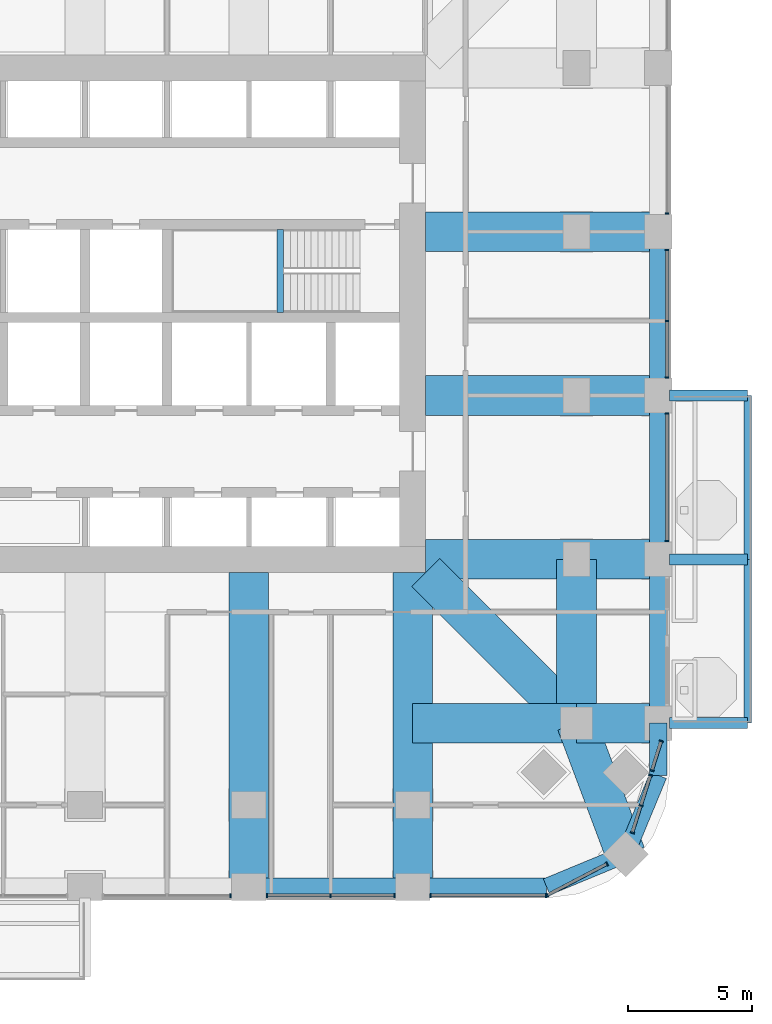
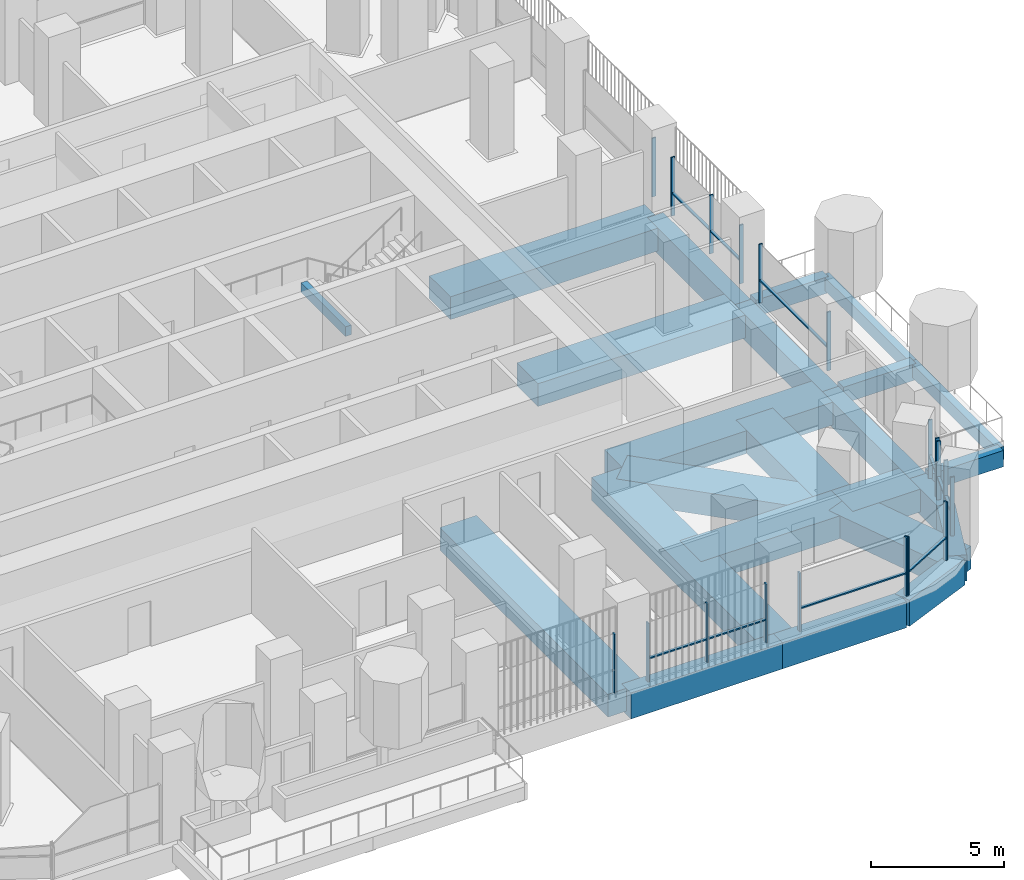
# One storey, part 5 of 21: 29 members, 24 beams, 9 elements without a shape of their own.
"""IFC4 building model written with IfcOpenShell, lengths in metres."""

from ifc_helpers import new_model, si_unit, direction, frame, origin, origin_2d, place, context, subcontext, project, spatial, rectangle, extrude, material, material_profile, profile_set, type_object, element, aggregate, save


model = new_model("IFC4")

# Units and contexts
model_context = context("Model", 3, precision=1e-05, world=origin(), true_north=direction((0.0, 1.0)))
body_context = subcontext(model_context, "Body", "Model", "MODEL_VIEW")
ifc_project = project(units=[si_unit("LENGTHUNIT", "METRE"), si_unit("AREAUNIT", "SQUARE_METRE"), si_unit("VOLUMEUNIT", "CUBIC_METRE"), si_unit("PLANEANGLEUNIT", "RADIAN"), si_unit("MASSUNIT", "GRAM", prefix="KILO")], contexts=[model_context])

# Site, building, storey
site_placement = place(None, origin())
site = spatial("IfcSite", under=ifc_project, at=site_placement, CompositionType="ELEMENT")
building_placement = place(site_placement, origin())
building = spatial("IfcBuilding", under=site, at=building_placement, Name="Cobogo Forest Laboratory Tower", CompositionType="ELEMENT")
storey_placement = place(building_placement, frame((0.0, 0.0, 132.60009765625)))
storey = spatial("IfcBuildingStorey", under=building, at=storey_placement, Name="L30", CompositionType="ELEMENT", Elevation=132.60009765625)

# Beams
ifc_material_1 = material(Name="Concrete HA-40 (C40/50)", Category="concrete")
ifc_material_profile_1 = material_profile(ifc_material_1, rectangle(XDim=0.449951171875, YDim=0.75, at=origin_2d()), Name="RC 450x750")
ifc_profile_set_1 = profile_set([ifc_material_profile_1], Name="Concrete HA-40 (C40/50)")
beam_type_1 = type_object("IfcBeamType", Name="Balcony cantilever beam 450x750", PredefinedType="BEAM", material=ifc_profile_set_1)
for number, where, z_axis, x_axis, name in (
    (1, (49.949951171875, 6.60009765625, -0.625), (1.0, 0.0, 0.0), (0.0, 1.0, 0.0), "CB1 BAL-E1-C1 L30"),
    (2, (49.949951171875, 13.199951171875, -0.625), (1.0, 0.0, 0.0), (0.0, 1.0, 0.0), "CB1 BAL-E1-C2 L30"),
    (3, (49.949951171875, 19.800048828125, -0.625), (1.0, 0.0, 0.0), (0.0, 1.0, 0.0), "CB1 BAL-E1-C3 L30"),
):
    element("IfcBeam", number, at=place(storey_placement, frame(where, z_axis=z_axis, x_axis=x_axis)), inside=storey, type_object=beam_type_1, Name=name, PredefinedType="BEAM", context=body_context, shape_type="SweptSolid", body=[
        extrude(rectangle(XDim=0.449951171875, YDim=0.75, at=origin_2d()), origin(), (0.0, 0.0, 1.0), 3.150146484375),
    ])
ifc_material_profile_2 = material_profile(ifc_material_1, rectangle(XDim=0.300048828125, YDim=0.60009765625, at=origin_2d()), Name="RC 300x600")
ifc_profile_set_2 = profile_set([ifc_material_profile_2], Name="Concrete HA-40 (C40/50)")
beam_type_2 = type_object("IfcBeamType", Name="Balcony edge beam 300x600", PredefinedType="BEAM", material=ifc_profile_set_2)
beam_1_placement = place(storey_placement, frame((53.10009765625, 6.60009765625, -0.550048828125), z_axis=(0.0, 1.0, 0.0), x_axis=(-1.0, 0.0, 0.0)))
element("IfcBeam", 4, at=beam_1_placement, inside=storey, type_object=beam_type_2, Name="BB1 BAL-E1-T1 L30", PredefinedType="BEAM", context=body_context, shape_type="SweptSolid", body=[
    extrude(rectangle(XDim=0.300048828125, YDim=0.60009765625, at=origin_2d()), origin(), (0.0, 0.0, 1.0), 6.599853515625),
])
beam_2_placement = place(storey_placement, frame((53.10009765625, 13.199951171875, -0.550048828125), z_axis=(0.0, 1.0, 0.0), x_axis=(-1.0, 0.0, 0.0)))
element("IfcBeam", 5, at=beam_2_placement, inside=storey, type_object=beam_type_2, Name="BB1 BAL-E1-T2 L30", PredefinedType="BEAM", context=body_context, shape_type="SweptSolid", body=[
    extrude(rectangle(XDim=0.300048828125, YDim=0.60009765625, at=origin_2d()), origin(), (0.0, 0.0, 1.0), 6.60009765625),
])
ifc_material_profile_3 = material_profile(ifc_material_1, rectangle(XDim=0.25, YDim=0.449951171875, at=origin_2d()), Name="RC 250x450")
ifc_profile_set_3 = profile_set([ifc_material_profile_3], Name="Concrete HA-40 (C40/50)")
beam_type_3 = type_object("IfcBeamType", Name="LB1 landing beam 250x450", PredefinedType="BEAM", material=ifc_profile_set_3)
beam_3_placement = place(storey_placement, frame((34.27001953125, 23.14990234375, 1.6748046875), z_axis=(0.0, 1.0, 0.0), x_axis=(-1.0, 0.0, 0.0)))
element("IfcBeam", 6, at=beam_3_placement, inside=storey, type_object=beam_type_3, Name="Landing beam ST2 L30", PredefinedType="BEAM", context=body_context, shape_type="SweptSolid", body=[
    extrude(rectangle(XDim=0.25, YDim=0.449951171875, at=origin_2d()), origin(), (0.0, 0.0, 1.0), 3.35009765625),
])
ifc_material_2 = material(Name="Concrete HA-50 (C50/60)", Category="concrete")
ifc_material_profile_4 = material_profile(ifc_material_2, rectangle(XDim=1.60009765625, YDim=1.050048828125, at=origin_2d()), Name="RC 1600x1050")
ifc_profile_set_4 = profile_set([ifc_material_profile_4], Name="Concrete HA-50 (C50/60)")
beam_type_4 = type_object("IfcBeamType", Name="Laboratory floor wide beam 1600x1050", PredefinedType="BEAM", material=ifc_profile_set_4)
for number, where, z_axis, x_axis, name in (
    (7, (33.0, 12.675048828125, -0.8251953125), (0.0, -1.0, 0.0), (1.0, 0.0, 0.0), "RB8 R-6-S L30"),
    (8, (39.60009765625, 12.675048828125, -0.8251953125), (0.0, -1.0, 0.0), (1.0, 0.0, 0.0), "RB8 R-7-S L30"),
):
    element("IfcBeam", number, at=place(storey_placement, frame(where, z_axis=z_axis, x_axis=x_axis)), inside=storey, type_object=beam_type_4, Name=name, PredefinedType="BEAM", context=body_context, shape_type="SweptSolid", body=[
        extrude(rectangle(XDim=1.60009765625, YDim=1.050048828125, at=origin_2d()), origin(), (0.0, 0.0, 1.0), 12.675048828125),
    ])
for number, where, z_axis, x_axis, name in (
    (9, (40.125, 13.199951171875, -0.8251953125), (1.0, 0.0, 0.0), (0.0, 1.0, 0.0), "RB8 R-C-E L30"),
    (10, (40.125, 19.800048828125, -0.8251953125), (1.0, 0.0, 0.0), (0.0, 1.0, 0.0), "RB8 R-D-E L30"),
    (11, (40.125, 26.39990234375, -0.8251953125), (1.0, 0.0, 0.0), (0.0, 1.0, 0.0), "RB8 R-E-E L30"),
):
    element("IfcBeam", number, at=place(storey_placement, frame(where, z_axis=z_axis, x_axis=x_axis)), inside=storey, type_object=beam_type_4, Name=name, PredefinedType="BEAM", context=body_context, shape_type="SweptSolid", body=[
        extrude(rectangle(XDim=1.60009765625, YDim=1.050048828125, at=origin_2d()), origin(), (0.0, 0.0, 1.0), 9.375),
    ])
beam_4_placement = place(storey_placement, frame((46.199951171875, 6.60009765625, -0.8251953125), z_axis=(0.0, 1.0, 0.0), x_axis=(-1.0, 0.0, 0.0)))
element("IfcBeam", 12, at=beam_4_placement, inside=storey, type_object=beam_type_4, Name="RB8 G-SE-XC L30", PredefinedType="BEAM", context=body_context, shape_type="SweptSolid", body=[
    extrude(rectangle(XDim=1.60009765625, YDim=1.050048828125, at=origin_2d()), origin(), (0.0, 0.0, 1.0), 6.599853515625),
])
beam_5_placement = place(storey_placement, frame((49.5, 6.60009765625, -0.8251953125), z_axis=(-1.0, 0.0, 0.0), x_axis=(0.0, -1.0, 0.0)))
element("IfcBeam", 13, at=beam_5_placement, inside=storey, type_object=beam_type_4, Name="RB8 G-SE-YF L30", PredefinedType="BEAM", context=body_context, shape_type="SweptSolid", body=[
    extrude(rectangle(XDim=1.60009765625, YDim=1.050048828125, at=origin_2d()), origin(), (0.0, 0.0, 1.0), 3.300048828125),
])
beam_6_placement = place(storey_placement, frame((46.199951171875, 6.60009765625, -0.8251953125), z_axis=(-1.0, 0.0, 0.0), x_axis=(0.0, -1.0, 0.0)))
element("IfcBeam", 14, at=beam_6_placement, inside=storey, type_object=beam_type_4, Name="RB8 G-SE-YC L30", PredefinedType="BEAM", context=body_context, shape_type="SweptSolid", body=[
    extrude(rectangle(XDim=1.60009765625, YDim=1.050048828125, at=origin_2d()), origin(), (0.0, 0.0, 1.0), 6.599853515625),
])
beam_7_placement = place(storey_placement, frame((48.181884765625, 1.318115234375, -0.8251953125), z_axis=(-0.351308391925, 0.936259800356, 0.0), x_axis=(-0.936259800356, -0.351308391925, 0.0)))
element("IfcBeam", 15, at=beam_7_placement, inside=storey, type_object=beam_type_4, Name="RB8 G-SE-D1 L30", PredefinedType="BEAM", context=body_context, shape_type="SweptSolid", body=[
    extrude(rectangle(XDim=1.60009765625, YDim=1.050048828125, at=origin_2d()), origin(), (0.0, 0.0, 1.0), 5.6416015625),
])
beam_8_placement = place(storey_placement, frame((46.199951171875, 6.60009765625, -0.8251953125), z_axis=(-0.707106781187, 0.707106781187, 0.0), x_axis=(-0.707106781187, -0.707106781187, 0.0)))
element("IfcBeam", 16, at=beam_8_placement, inside=storey, type_object=beam_type_4, Name="RB8 G-SE-D2 L30", PredefinedType="BEAM", context=body_context, shape_type="SweptSolid", body=[
    extrude(rectangle(XDim=1.60009765625, YDim=1.050048828125, at=origin_2d()), origin(), (0.0, 0.0, 1.0), 8.59130859375),
])

# Curtain wall, member
ifc_material_3 = material(Name="Aluminium curtain wall", Category="aluminium")
curtain_wall_type = type_object("IfcCurtainWallType", Name="CW-1 unitised curtain wall, clear glazing, laboratory floors zones A and B", PredefinedType="USERDEFINED", material=ifc_material_3)
curtain_wall_1_placement = place(storey_placement, origin())
curtain_wall_1 = element("IfcCurtainWall", 17, at=curtain_wall_1_placement, inside=storey, type_object=curtain_wall_type, Name="Curtain wall 04 L30", ObjectType="UNITISED CURTAIN WALL", PredefinedType="USERDEFINED")
ifc_material_4 = material(Name="Aluminium mullion", Category="aluminium")
ifc_material_profile_5 = material_profile(ifc_material_4, rectangle(XDim=0.06005859375, YDim=0.159912109375, at=origin_2d()), Name="AL 60x160")
ifc_profile_set_5 = profile_set([ifc_material_profile_5], Name="Aluminium mullion")
member_type_1 = type_object("IfcMemberType", Name="MU-1 aluminium mullion 60x160", PredefinedType="MULLION", material=ifc_profile_set_5)
member_1_placement = place(storey_placement, frame((32.27001953125, -0.35009765625, 0.0), z_axis=(0.0, 0.0, 1.0), x_axis=(1.0, 0.0, 0.0)))
member_1 = element("IfcMember", 18, at=member_1_placement, type_object=member_type_1, Name="CW-1 mullion 3", PredefinedType="MULLION", context=body_context, shape_type="SweptSolid", body=[
    extrude(rectangle(XDim=0.06005859375, YDim=0.159912109375, at=origin_2d()), origin(), (0.0, 0.0, 1.0), 2.699951171875),
])
aggregate(curtain_wall_1, [member_1])

# Curtain wall, members
curtain_wall_2_placement = place(storey_placement, origin())
curtain_wall_2 = element("IfcCurtainWall", 19, at=curtain_wall_2_placement, inside=storey, type_object=curtain_wall_type, Name="Curtain wall 05 L30", ObjectType="UNITISED CURTAIN WALL", PredefinedType="USERDEFINED")
member_2_placement = place(storey_placement, frame((33.72998046875, -0.35009765625, 0.0), z_axis=(0.0, 0.0, 1.0), x_axis=(1.0, 0.0, 0.0)))
member_2 = element("IfcMember", 20, at=member_2_placement, type_object=member_type_1, Name="CW-1 mullion 1", PredefinedType="MULLION", context=body_context, shape_type="SweptSolid", body=[
    extrude(rectangle(XDim=0.06005859375, YDim=0.159912109375, at=origin_2d()), origin(), (0.0, 0.0, 1.0), 2.699951171875),
])
member_3_placement = place(storey_placement, frame((36.300048828125, -0.35009765625, 0.0), z_axis=(0.0, 0.0, 1.0), x_axis=(1.0, 0.0, 0.0)))
member_3 = element("IfcMember", 21, at=member_3_placement, type_object=member_type_1, Name="CW-1 mullion 2", PredefinedType="MULLION", context=body_context, shape_type="SweptSolid", body=[
    extrude(rectangle(XDim=0.06005859375, YDim=0.159912109375, at=origin_2d()), origin(), (0.0, 0.0, 1.0), 2.699951171875),
])
member_4_placement = place(storey_placement, frame((38.8701171875, -0.35009765625, 0.0), z_axis=(0.0, 0.0, 1.0), x_axis=(1.0, 0.0, 0.0)))
member_4 = element("IfcMember", 22, at=member_4_placement, type_object=member_type_1, Name="CW-1 mullion 3", PredefinedType="MULLION", context=body_context, shape_type="SweptSolid", body=[
    extrude(rectangle(XDim=0.06005859375, YDim=0.159912109375, at=origin_2d()), origin(), (0.0, 0.0, 1.0), 2.699951171875),
])

curtain_wall_3_placement = place(storey_placement, origin())
curtain_wall_3 = element("IfcCurtainWall", 23, at=curtain_wall_3_placement, inside=storey, type_object=curtain_wall_type, Name="Curtain wall 06 L30", ObjectType="UNITISED CURTAIN WALL", PredefinedType="USERDEFINED")
member_5_placement = place(storey_placement, frame((40.330078125, -0.35009765625, 0.0), z_axis=(0.0, 0.0, 1.0), x_axis=(1.0, 0.0, 0.0)))
member_5 = element("IfcMember", 24, at=member_5_placement, type_object=member_type_1, Name="CW-1 mullion 1", PredefinedType="MULLION", context=body_context, shape_type="SweptSolid", body=[
    extrude(rectangle(XDim=0.06005859375, YDim=0.159912109375, at=origin_2d()), origin(), (0.0, 0.0, 1.0), 2.699951171875),
])
member_6_placement = place(storey_placement, frame((44.969970703125, -0.35009765625, 0.0), z_axis=(0.0, 0.0, 1.0), x_axis=(1.0, 0.0, 0.0)))
member_6 = element("IfcMember", 25, at=member_6_placement, type_object=member_type_1, Name="CW-1 mullion 2", PredefinedType="MULLION", context=body_context, shape_type="SweptSolid", body=[
    extrude(rectangle(XDim=0.06005859375, YDim=0.159912109375, at=origin_2d()), origin(), (0.0, 0.0, 1.0), 2.699951171875),
])

curtain_wall_4_placement = place(storey_placement, origin())
curtain_wall_4 = element("IfcCurtainWall", 26, at=curtain_wall_4_placement, inside=storey, type_object=curtain_wall_type, Name="Curtain wall 07 L30", ObjectType="UNITISED CURTAIN WALL", PredefinedType="USERDEFINED")
member_7_placement = place(storey_placement, frame((45.026611328125, -0.336181640625, 0.0), z_axis=(0.0, 0.0, 1.0), x_axis=(0.885686547075, 0.464283685186, 0.0)))
member_7 = element("IfcMember", 27, at=member_7_placement, type_object=member_type_1, Name="CW-1 mullion 1", PredefinedType="MULLION", context=body_context, shape_type="SweptSolid", body=[
    extrude(rectangle(XDim=0.06005859375, YDim=0.159912109375, at=origin_2d()), origin(), (0.0, 0.0, 1.0), 2.699951171875),
])
member_8_placement = place(storey_placement, frame((47.431640625, 0.9248046875, 0.0), z_axis=(0.0, 0.0, 1.0), x_axis=(0.885686547075, 0.464283685186, 0.0)))
member_8 = element("IfcMember", 28, at=member_8_placement, type_object=member_type_1, Name="CW-1 mullion 2", PredefinedType="MULLION", context=body_context, shape_type="SweptSolid", body=[
    extrude(rectangle(XDim=0.06005859375, YDim=0.159912109375, at=origin_2d()), origin(), (0.0, 0.0, 1.0), 2.699951171875),
])

curtain_wall_5_placement = place(storey_placement, origin())
curtain_wall_5 = element("IfcCurtainWall", 29, at=curtain_wall_5_placement, inside=storey, type_object=curtain_wall_type, Name="Curtain wall 08 L30", ObjectType="UNITISED CURTAIN WALL", PredefinedType="USERDEFINED")
member_9_placement = place(storey_placement, frame((48.455810546875, 2.18505859375, 0.0), z_axis=(0.0, 0.0, 1.0), x_axis=(0.301135291996, 0.953581425949, 0.0)))
member_9 = element("IfcMember", 30, at=member_9_placement, type_object=member_type_1, Name="CW-1 mullion 1", PredefinedType="MULLION", context=body_context, shape_type="SweptSolid", body=[
    extrude(rectangle(XDim=0.06005859375, YDim=0.159912109375, at=origin_2d()), origin(), (0.0, 0.0, 1.0), 2.699951171875),
])
member_10_placement = place(storey_placement, frame((48.80029296875, 3.27587890625, 0.0), z_axis=(0.0, 0.0, 1.0), x_axis=(0.301135291996, 0.953581425949, 0.0)))
member_10 = element("IfcMember", 31, at=member_10_placement, type_object=member_type_1, Name="CW-1 mullion 2", PredefinedType="MULLION", context=body_context, shape_type="SweptSolid", body=[
    extrude(rectangle(XDim=0.06005859375, YDim=0.159912109375, at=origin_2d()), origin(), (0.0, 0.0, 1.0), 2.699951171875),
])
member_11_placement = place(storey_placement, frame((49.18701171875, 4.500244140625, 0.0), z_axis=(0.0, 0.0, 1.0), x_axis=(0.301135291996, 0.953581425949, 0.0)))
member_11 = element("IfcMember", 32, at=member_11_placement, type_object=member_type_1, Name="CW-1 mullion 3", PredefinedType="MULLION", context=body_context, shape_type="SweptSolid", body=[
    extrude(rectangle(XDim=0.06005859375, YDim=0.159912109375, at=origin_2d()), origin(), (0.0, 0.0, 1.0), 2.699951171875),
])

curtain_wall_6_placement = place(storey_placement, origin())
curtain_wall_6 = element("IfcCurtainWall", 33, at=curtain_wall_6_placement, inside=storey, type_object=curtain_wall_type, Name="Curtain wall 09 L30", ObjectType="UNITISED CURTAIN WALL", PredefinedType="USERDEFINED")
member_12_placement = place(storey_placement, frame((49.247802734375, 4.69287109375, 0.0), z_axis=(0.0, 0.0, 1.0), x_axis=(0.301135356805, 0.953581405483, 0.0)))
member_12 = element("IfcMember", 34, at=member_12_placement, type_object=member_type_1, Name="CW-1 mullion 1", PredefinedType="MULLION", context=body_context, shape_type="SweptSolid", body=[
    extrude(rectangle(XDim=0.06005859375, YDim=0.159912109375, at=origin_2d()), origin(), (0.0, 0.0, 1.0), 2.699951171875),
])
member_13_placement = place(storey_placement, frame((49.619873046875, 5.871337890625, 0.0), z_axis=(0.0, 0.0, 1.0), x_axis=(0.301135356805, 0.953581405483, 0.0)))
member_13 = element("IfcMember", 35, at=member_13_placement, type_object=member_type_1, Name="CW-1 mullion 2", PredefinedType="MULLION", context=body_context, shape_type="SweptSolid", body=[
    extrude(rectangle(XDim=0.06005859375, YDim=0.159912109375, at=origin_2d()), origin(), (0.0, 0.0, 1.0), 2.699951171875),
])

curtain_wall_7_placement = place(storey_placement, origin())
curtain_wall_7 = element("IfcCurtainWall", 36, at=curtain_wall_7_placement, inside=storey, type_object=curtain_wall_type, Name="Curtain wall 11 L30", ObjectType="UNITISED CURTAIN WALL", PredefinedType="USERDEFINED")
member_14_placement = place(storey_placement, frame((49.85009765625, 13.929931640625, 0.0), z_axis=(0.0, 0.0, 1.0), x_axis=(0.0, 1.0, 0.0)))
member_14 = element("IfcMember", 37, at=member_14_placement, type_object=member_type_1, Name="CW-1 mullion 1", PredefinedType="MULLION", context=body_context, shape_type="SweptSolid", body=[
    extrude(rectangle(XDim=0.06005859375, YDim=0.159912109375, at=origin_2d()), origin(), (0.0, 0.0, 1.0), 2.699951171875),
])
member_15_placement = place(storey_placement, frame((49.85009765625, 19.070068359375, 0.0), z_axis=(0.0, 0.0, 1.0), x_axis=(0.0, 1.0, 0.0)))
member_15 = element("IfcMember", 38, at=member_15_placement, type_object=member_type_1, Name="CW-1 mullion 2", PredefinedType="MULLION", context=body_context, shape_type="SweptSolid", body=[
    extrude(rectangle(XDim=0.06005859375, YDim=0.159912109375, at=origin_2d()), origin(), (0.0, 0.0, 1.0), 2.699951171875),
])

curtain_wall_8_placement = place(storey_placement, origin())
curtain_wall_8 = element("IfcCurtainWall", 39, at=curtain_wall_8_placement, inside=storey, type_object=curtain_wall_type, Name="Curtain wall 12 L30", ObjectType="UNITISED CURTAIN WALL", PredefinedType="USERDEFINED")
member_16_placement = place(storey_placement, frame((49.85009765625, 20.530029296875, 0.0), z_axis=(0.0, 0.0, 1.0), x_axis=(0.0, 1.0, 0.0)))
member_16 = element("IfcMember", 40, at=member_16_placement, type_object=member_type_1, Name="CW-1 mullion 1", PredefinedType="MULLION", context=body_context, shape_type="SweptSolid", body=[
    extrude(rectangle(XDim=0.06005859375, YDim=0.159912109375, at=origin_2d()), origin(), (0.0, 0.0, 1.0), 2.699951171875),
])
member_17_placement = place(storey_placement, frame((49.85009765625, 22.800048828125, 0.0), z_axis=(0.0, 0.0, 1.0), x_axis=(0.0, 1.0, 0.0)))
member_17 = element("IfcMember", 41, at=member_17_placement, type_object=member_type_1, Name="CW-1 mullion 2", PredefinedType="MULLION", context=body_context, shape_type="SweptSolid", body=[
    extrude(rectangle(XDim=0.06005859375, YDim=0.159912109375, at=origin_2d()), origin(), (0.0, 0.0, 1.0), 2.699951171875),
])
member_18_placement = place(storey_placement, frame((49.85009765625, 25.669921875, 0.0), z_axis=(0.0, 0.0, 1.0), x_axis=(0.0, 1.0, 0.0)))
member_18 = element("IfcMember", 42, at=member_18_placement, type_object=member_type_1, Name="CW-1 mullion 3", PredefinedType="MULLION", context=body_context, shape_type="SweptSolid", body=[
    extrude(rectangle(XDim=0.06005859375, YDim=0.159912109375, at=origin_2d()), origin(), (0.0, 0.0, 1.0), 2.699951171875),
])

# Curtain wall, member
curtain_wall_9_placement = place(storey_placement, origin())
curtain_wall_9 = element("IfcCurtainWall", 43, at=curtain_wall_9_placement, inside=storey, type_object=curtain_wall_type, Name="Curtain wall 13 L30", ObjectType="UNITISED CURTAIN WALL", PredefinedType="USERDEFINED")
member_19_placement = place(storey_placement, frame((49.85009765625, 27.1298828125, 0.0), z_axis=(0.0, 0.0, 1.0), x_axis=(0.0, 1.0, 0.0)))
member_19 = element("IfcMember", 44, at=member_19_placement, type_object=member_type_1, Name="CW-1 mullion 1", PredefinedType="MULLION", context=body_context, shape_type="SweptSolid", body=[
    extrude(rectangle(XDim=0.06005859375, YDim=0.159912109375, at=origin_2d()), origin(), (0.0, 0.0, 1.0), 2.699951171875),
])
aggregate(curtain_wall_9, [member_19])

# Beams
ifc_material_profile_6 = material_profile(ifc_material_1, rectangle(XDim=0.699951171875, YDim=1.199951171875, at=origin_2d()), Name="RC 700x1200")
ifc_profile_set_6 = profile_set([ifc_material_profile_6], Name="Concrete HA-40 (C40/50)")
beam_type_5 = type_object("IfcBeamType", Name="Perimeter edge beam 700x1200", PredefinedType="BEAM", material=ifc_profile_set_6)
beam_9_placement = place(storey_placement, frame((33.0, 0.0, -0.900146484375), z_axis=(1.0, 0.0, 0.0), x_axis=(0.0, 1.0, 0.0)))
element("IfcBeam", 45, at=beam_9_placement, inside=storey, type_object=beam_type_5, Name="EB1 E-S4 L30", PredefinedType="BEAM", context=body_context, shape_type="SweptSolid", body=[
    extrude(rectangle(XDim=0.699951171875, YDim=1.199951171875, at=origin_2d()), origin(), (0.0, 0.0, 1.0), 6.60009765625),
])
beam_10_placement = place(storey_placement, frame((49.5, 6.60009765625, -0.900146484375), z_axis=(0.0, 1.0, 0.0), x_axis=(-1.0, 0.0, 0.0)))
element("IfcBeam", 46, at=beam_10_placement, inside=storey, type_object=beam_type_5, Name="EB1 E-E1 L30", PredefinedType="BEAM", context=body_context, shape_type="SweptSolid", body=[
    extrude(rectangle(XDim=0.699951171875, YDim=1.199951171875, at=origin_2d()), origin(), (0.0, 0.0, 1.0), 6.599853515625),
])
beam_11_placement = place(storey_placement, frame((49.5, 13.199951171875, -0.900146484375), z_axis=(0.0, 1.0, 0.0), x_axis=(-1.0, 0.0, 0.0)))
element("IfcBeam", 47, at=beam_11_placement, inside=storey, type_object=beam_type_5, Name="EB1 E-E2 L30", PredefinedType="BEAM", context=body_context, shape_type="SweptSolid", body=[
    extrude(rectangle(XDim=0.699951171875, YDim=1.199951171875, at=origin_2d()), origin(), (0.0, 0.0, 1.0), 6.60009765625),
])
beam_12_placement = place(storey_placement, frame((49.5, 19.800048828125, -0.900146484375), z_axis=(0.0, 1.0, 0.0), x_axis=(-1.0, 0.0, 0.0)))
element("IfcBeam", 48, at=beam_12_placement, inside=storey, type_object=beam_type_5, Name="EB1 E-E3 L30", PredefinedType="BEAM", context=body_context, shape_type="SweptSolid", body=[
    extrude(rectangle(XDim=0.699951171875, YDim=1.199951171875, at=origin_2d()), origin(), (0.0, 0.0, 1.0), 6.599853515625),
])
beam_13_placement = place(storey_placement, frame((39.60009765625, 0.0, -0.900146484375), z_axis=(1.0, 0.0, 0.0), x_axis=(0.0, 1.0, 0.0)))
element("IfcBeam", 49, at=beam_13_placement, inside=storey, type_object=beam_type_5, Name="EB1 E-SES1 L30", PredefinedType="BEAM", context=body_context, shape_type="SweptSolid", body=[
    extrude(rectangle(XDim=0.699951171875, YDim=1.199951171875, at=origin_2d()), origin(), (0.0, 0.0, 1.0), 5.39990234375),
])
beam_14_placement = place(storey_placement, frame((45.0, 0.0, -0.900146484375), z_axis=(0.923865631356, 0.382716990999, 0.0), x_axis=(-0.382716990999, 0.923865631356, 0.0)))
element("IfcBeam", 50, at=beam_14_placement, inside=storey, type_object=beam_type_5, Name="EB1 E-SES2 L30", PredefinedType="BEAM", context=body_context, shape_type="SweptSolid", body=[
    extrude(rectangle(XDim=0.699951171875, YDim=1.199951171875, at=origin_2d()), origin(), (0.0, 0.0, 1.0), 3.444091796875),
])
beam_15_placement = place(storey_placement, frame((49.5, 6.60009765625, -0.900146484375), z_axis=(0.0, -1.0, 0.0), x_axis=(1.0, 0.0, 0.0)))
element("IfcBeam", 51, at=beam_15_placement, inside=storey, type_object=beam_type_5, Name="EB1 E-SEE1 L30", PredefinedType="BEAM", context=body_context, shape_type="SweptSolid", body=[
    extrude(rectangle(XDim=0.699951171875, YDim=1.199951171875, at=origin_2d()), origin(), (0.0, 0.0, 1.0), 2.10009765625),
])
beam_16_placement = place(storey_placement, frame((49.5, 4.5, -0.900146484375), z_axis=(-0.382716990999, -0.923865631356, 0.0), x_axis=(0.923865631356, -0.382716990999, 0.0)))
element("IfcBeam", 52, at=beam_16_placement, inside=storey, type_object=beam_type_5, Name="EB1 E-SEE2 L30", PredefinedType="BEAM", context=body_context, shape_type="SweptSolid", body=[
    extrude(rectangle(XDim=0.699951171875, YDim=1.199951171875, at=origin_2d()), origin(), (0.0, 0.0, 1.0), 3.444091796875),
])

# Member
ifc_material_5 = material(Name="Aluminium transom", Category="aluminium")
ifc_material_profile_7 = material_profile(ifc_material_5, rectangle(XDim=0.1201171875, YDim=0.06005859375, at=origin_2d()), Name="AL 60x120")
ifc_profile_set_7 = profile_set([ifc_material_profile_7], Name="Aluminium transom")
member_type_2 = type_object("IfcMemberType", Name="TR-1 aluminium transom 60x120", PredefinedType="USERDEFINED", material=ifc_profile_set_7)
member_20_placement = place(storey_placement, frame((33.760009765625, -0.35009765625, 1.0498046875), z_axis=(1.0, 0.0, 0.0), x_axis=(0.0, 1.0, 0.0)))
member_20 = element("IfcMember", 53, at=member_20_placement, type_object=member_type_2, Name="CW-1 transom 1.1", ObjectType="TRANSOM", PredefinedType="USERDEFINED", context=body_context, shape_type="SweptSolid", body=[
    extrude(rectangle(XDim=0.1201171875, YDim=0.06005859375, at=origin_2d()), origin(), (0.0, 0.0, 1.0), 2.510009765625),
])

member_21_placement = place(storey_placement, frame((36.330078125, -0.35009765625, 1.0498046875), z_axis=(1.0, 0.0, 0.0), x_axis=(0.0, 1.0, 0.0)))
member_21 = element("IfcMember", 54, at=member_21_placement, type_object=member_type_2, Name="CW-1 transom 2.1", ObjectType="TRANSOM", PredefinedType="USERDEFINED", context=body_context, shape_type="SweptSolid", body=[
    extrude(rectangle(XDim=0.1201171875, YDim=0.06005859375, at=origin_2d()), origin(), (0.0, 0.0, 1.0), 2.510009765625),
])

aggregate(curtain_wall_2, [member_2, member_3, member_4, member_20, member_21])

member_22_placement = place(storey_placement, frame((40.360107421875, -0.35009765625, 1.0498046875), z_axis=(1.0, 0.0, 0.0), x_axis=(0.0, 1.0, 0.0)))
member_22 = element("IfcMember", 55, at=member_22_placement, type_object=member_type_2, Name="CW-1 transom 1.1", ObjectType="TRANSOM", PredefinedType="USERDEFINED", context=body_context, shape_type="SweptSolid", body=[
    extrude(rectangle(XDim=0.1201171875, YDim=0.06005859375, at=origin_2d()), origin(), (0.0, 0.0, 1.0), 4.579833984375),
])

aggregate(curtain_wall_3, [member_5, member_6, member_22])

member_23_placement = place(storey_placement, frame((45.05322265625, -0.322021484375, 1.0498046875), z_axis=(0.885674922116, 0.464305860758, 0.0), x_axis=(-0.464305860758, 0.885674922116, 0.0)))
member_23 = element("IfcMember", 56, at=member_23_placement, type_object=member_type_2, Name="CW-1 transom 1.1", ObjectType="TRANSOM", PredefinedType="USERDEFINED", context=body_context, shape_type="SweptSolid", body=[
    extrude(rectangle(XDim=0.1201171875, YDim=0.06005859375, at=origin_2d()), origin(), (0.0, 0.0, 1.0), 2.6552734375),
])

aggregate(curtain_wall_4, [member_7, member_8, member_23])

member_24_placement = place(storey_placement, frame((48.46484375, 2.213623046875, 1.0498046875), z_axis=(0.301120589075, 0.953586068918, 0.0), x_axis=(-0.953586068918, 0.301120589075, 0.0)))
member_24 = element("IfcMember", 57, at=member_24_placement, type_object=member_type_2, Name="CW-1 transom 1.1", ObjectType="TRANSOM", PredefinedType="USERDEFINED", context=body_context, shape_type="SweptSolid", body=[
    extrude(rectangle(XDim=0.1201171875, YDim=0.06005859375, at=origin_2d()), origin(), (0.0, 0.0, 1.0), 1.083984375),
])

member_25_placement = place(storey_placement, frame((48.809326171875, 3.304443359375, 1.0498046875), z_axis=(0.301169549566, 0.953570606937, 0.0), x_axis=(-0.953570606937, 0.301169549566, 0.0)))
member_25 = element("IfcMember", 58, at=member_25_placement, type_object=member_type_2, Name="CW-1 transom 2.1", ObjectType="TRANSOM", PredefinedType="USERDEFINED", context=body_context, shape_type="SweptSolid", body=[
    extrude(rectangle(XDim=0.1201171875, YDim=0.06005859375, at=origin_2d()), origin(), (0.0, 0.0, 1.0), 1.22412109375),
])

aggregate(curtain_wall_5, [member_9, member_10, member_11, member_24, member_25])

member_26_placement = place(storey_placement, frame((49.2568359375, 4.7216796875, 1.0498046875), z_axis=(0.301111490799, 0.953588941897, 0.0), x_axis=(-0.953588941897, 0.301111490799, 0.0)))
member_26 = element("IfcMember", 59, at=member_26_placement, type_object=member_type_2, Name="CW-1 transom 1.1", ObjectType="TRANSOM", PredefinedType="USERDEFINED", context=body_context, shape_type="SweptSolid", body=[
    extrude(rectangle(XDim=0.1201171875, YDim=0.06005859375, at=origin_2d()), origin(), (0.0, 0.0, 1.0), 1.175537109375),
])

aggregate(curtain_wall_6, [member_12, member_13, member_26])

member_27_placement = place(storey_placement, frame((49.85009765625, 13.9599609375, 1.0498046875), z_axis=(0.0, 1.0, 0.0), x_axis=(-1.0, 0.0, 0.0)))
member_27 = element("IfcMember", 60, at=member_27_placement, type_object=member_type_2, Name="CW-1 transom 1.1", ObjectType="TRANSOM", PredefinedType="USERDEFINED", context=body_context, shape_type="SweptSolid", body=[
    extrude(rectangle(XDim=0.1201171875, YDim=0.06005859375, at=origin_2d()), origin(), (0.0, 0.0, 1.0), 5.080078125),
])

aggregate(curtain_wall_7, [member_14, member_15, member_27])

member_28_placement = place(storey_placement, frame((49.85009765625, 20.56005859375, 1.0498046875), z_axis=(0.0, 1.0, 0.0), x_axis=(-1.0, 0.0, 0.0)))
member_28 = element("IfcMember", 61, at=member_28_placement, type_object=member_type_2, Name="CW-1 transom 1.1", ObjectType="TRANSOM", PredefinedType="USERDEFINED", context=body_context, shape_type="SweptSolid", body=[
    extrude(rectangle(XDim=0.1201171875, YDim=0.06005859375, at=origin_2d()), origin(), (0.0, 0.0, 1.0), 2.2099609375),
])

member_29_placement = place(storey_placement, frame((49.85009765625, 22.830078125, 1.0498046875), z_axis=(0.0, 1.0, 0.0), x_axis=(-1.0, 0.0, 0.0)))
member_29 = element("IfcMember", 62, at=member_29_placement, type_object=member_type_2, Name="CW-1 transom 2.1", ObjectType="TRANSOM", PredefinedType="USERDEFINED", context=body_context, shape_type="SweptSolid", body=[
    extrude(rectangle(XDim=0.1201171875, YDim=0.06005859375, at=origin_2d()), origin(), (0.0, 0.0, 1.0), 2.809814453125),
])

aggregate(curtain_wall_8, [member_16, member_17, member_18, member_28, member_29])

save(model, "model.ifc")
